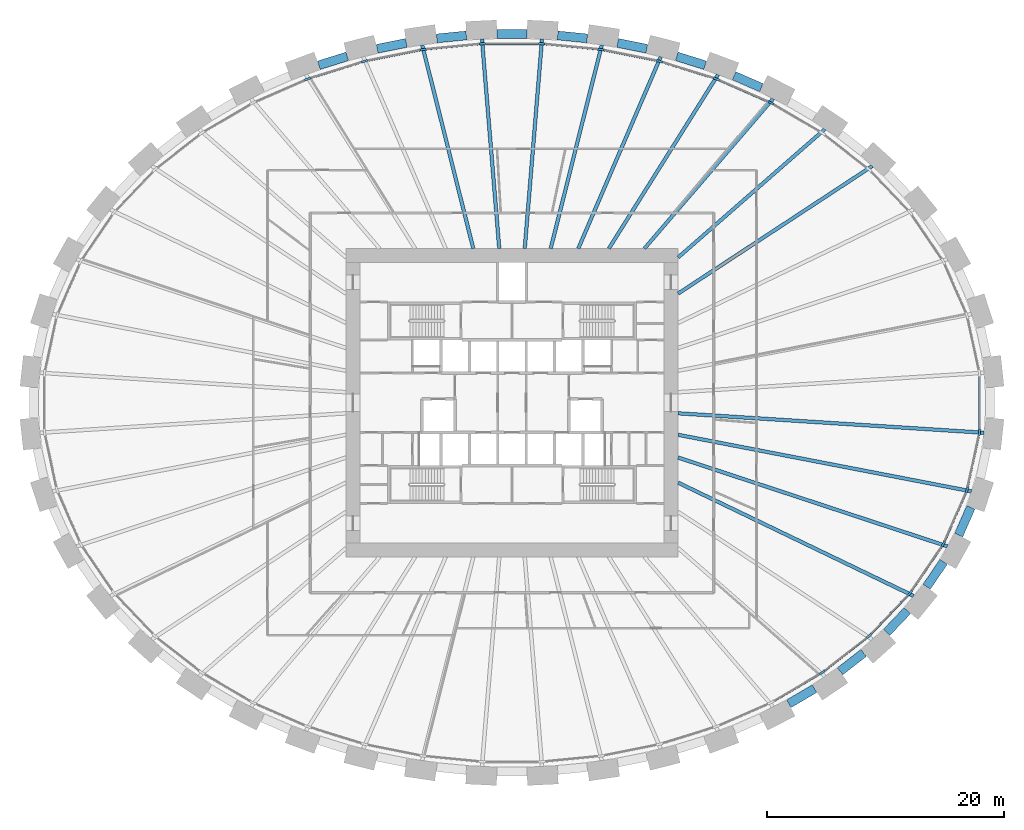
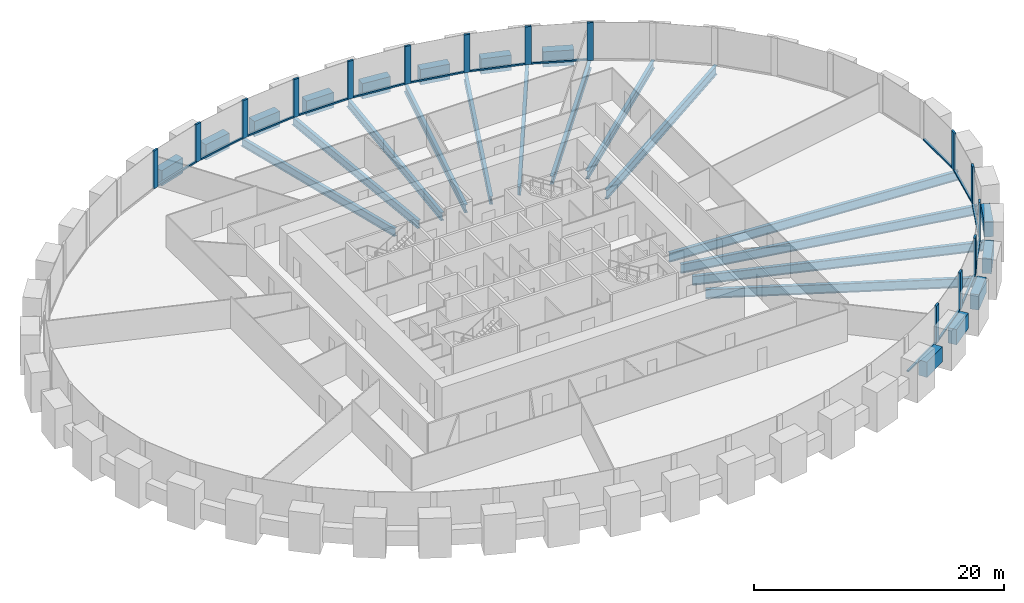
# One storey, part 3 of 11: 30 members, 26 beams, 1 element without a shape of its own.
"""IFC4 building model written with IfcOpenShell, lengths in metres."""

import ifcopenshell
import ifcopenshell.guid

model = None  # the IFC model being written
_history = None  # IfcOwnerHistory: only IFC2X3 demands one
_inside = {}  # id of a spatial element -> (the spatial element, [elements in it])
_under = {}  # id of a project, library or spatial element -> (it, [spatial elements below it])
_declared = {}  # id of a project -> (the project, [libraries it declares])
_typed = {}  # id of a type object -> (the type object, [elements of that type])
_made_of = {}  # id of a material, layer set ... -> (it, [elements and type objects made of it])


def new_model(schema):
    """Start an empty IFC model of exactly this schema.

    Asked for "IFC4X3", IfcOpenShell would pick the latest addendum, in which some entities
    have other attributes; the version numbers below select the first issue.
    IFC2X3 requires an IfcOwnerHistory on every rooted entity: one is made here for all.
    """
    global model, _history
    if schema == "IFC4X3":
        model = ifcopenshell.file(schema_version=(4, 3, 0, 0))
    else:
        model = ifcopenshell.file(schema=schema)
    _inside.clear()
    _under.clear()
    _declared.clear()
    _typed.clear()
    _made_of.clear()
    _history = None
    if model.schema == "IFC2X3":
        org = make("IfcOrganization", Name="unknown")
        user = make(
            "IfcPersonAndOrganization",
            ThePerson=make("IfcPerson", FamilyName="unknown"),
            TheOrganization=org,
        )
        app = make(
            "IfcApplication",
            ApplicationDeveloper=org,
            Version="unknown",
            ApplicationFullName="unknown",
            ApplicationIdentifier="unknown",
        )
        _history = make(
            "IfcOwnerHistory",
            OwningUser=user,
            OwningApplication=app,
            ChangeAction="ADDED",
            CreationDate=0,
        )
    return model


def make(cls, **values):
    """One entity of the class cls with the attributes given. An attribute that is None is left unset."""
    return model.create_entity(
        cls, **{name: value for name, value in values.items() if value is not None}
    )


def rooted(cls, **values):
    """An entity with a GlobalId (a new one), such as an element, a storey or a relation."""
    return make(cls, GlobalId=ifcopenshell.guid.new(), OwnerHistory=_history, **values)


def si_unit(unit_type, name, prefix=None):
    """IfcSIUnit, for example si_unit("LENGTHUNIT", "METRE", prefix="MILLI")."""
    return make("IfcSIUnit", UnitType=unit_type, Prefix=prefix, Name=name)


def assignment(units):
    """IfcUnitAssignment: the units of a project."""
    return None if units is None else make("IfcUnitAssignment", Units=units)


def point(xyz):
    """IfcCartesianPoint."""
    return None if xyz is None else make("IfcCartesianPoint", Coordinates=xyz)


def direction(xyz):
    """IfcDirection."""
    return None if xyz is None else make("IfcDirection", DirectionRatios=xyz)


def frame(location, z_axis=None, x_axis=None):
    """IfcAxis2Placement3D, a coordinate frame: its origin and axes. An axis left out is left unset."""
    return make(
        "IfcAxis2Placement3D",
        Location=point(location),
        Axis=direction(z_axis),
        RefDirection=direction(x_axis),
    )


def frame_2d(location, x_axis=None):
    """IfcAxis2Placement2D, a coordinate frame in the plane: its origin and x axis."""
    return make(
        "IfcAxis2Placement2D", Location=point(location), RefDirection=direction(x_axis)
    )


def origin():
    """The frame at (0, 0, 0) with its axes left unset."""
    return frame((0.0, 0.0, 0.0))


def origin_2d():
    """The frame at (0, 0) in the plane with its x axis left unset."""
    return frame_2d((0.0, 0.0))


def place(relative_to, where):
    """IfcLocalPlacement: puts the frame where relative to a parent placement (None: the world)."""
    return make(
        "IfcLocalPlacement", PlacementRelTo=relative_to, RelativePlacement=where
    )


def context(
    kind, dimensions, precision=None, world=None, true_north=None, identifier=None
):
    """IfcGeometricRepresentationContext, for example the 3D "Model" context."""
    return make(
        "IfcGeometricRepresentationContext",
        ContextIdentifier=identifier,
        ContextType=kind,
        CoordinateSpaceDimension=dimensions,
        Precision=precision,
        WorldCoordinateSystem=world,
        TrueNorth=true_north,
    )


def subcontext(parent, identifier, kind, view, scale=None):
    """IfcGeometricRepresentationSubContext, for example "Body" below "Model"."""
    return make(
        "IfcGeometricRepresentationSubContext",
        ContextIdentifier=identifier,
        ContextType=kind,
        ParentContext=parent,
        TargetScale=scale,
        TargetView=view,
    )


def project(units=None, contexts=None):
    """IfcProject with its units and contexts."""
    return rooted(
        "IfcProject",
        Name="project",
        RepresentationContexts=contexts,
        UnitsInContext=assignment(units),
    )


def spatial(cls, under=None, at=None, **own):
    """A site, building, storey or space (cls), placed at a placement, below another one or the project."""
    s = rooted(cls, ObjectPlacement=at, **own)
    if under is not None:
        _under.setdefault(under.id(), (under, []))[1].append(s)
    return s


def profile(cls, at=None, kind="AREA", **sizes):
    """A parametric profile (cls). Its sizes go by their IFC names, for example OverallWidth=200.0."""
    return make(cls, ProfileType=kind, Position=at, **sizes)


def rectangle(**sizes):
    """IfcRectangleProfileDef."""
    return profile("IfcRectangleProfileDef", **sizes)


def i_section(**sizes):
    """IfcIShapeProfileDef."""
    return profile("IfcIShapeProfileDef", **sizes)


def extrude(swept, where, along, depth):
    """IfcExtrudedAreaSolid: the profile swept, set in the frame where, extruded along a direction by depth."""
    return make(
        "IfcExtrudedAreaSolid",
        SweptArea=swept,
        Position=where,
        ExtrudedDirection=direction(along),
        Depth=depth,
    )


def shape(context_of_items, identifier, shape_type, items):
    """IfcShapeRepresentation: the items that make up one representation, for example the "Body"."""
    return make(
        "IfcShapeRepresentation",
        ContextOfItems=context_of_items,
        RepresentationIdentifier=identifier,
        RepresentationType=shape_type,
        Items=items,
    )


def source(mapping_origin, context_of_items, identifier, shape_type, items):
    """IfcRepresentationMap: a shape defined once, which mapped items show again and again."""
    return make(
        "IfcRepresentationMap",
        MappingOrigin=mapping_origin,
        MappedRepresentation=shape(context_of_items, identifier, shape_type, items),
    )


def transform(
    local_origin,
    x_axis=None,
    y_axis=None,
    z_axis=None,
    scale=None,
    scale2=None,
    scale3=None,
    uniform=True,
):
    """IfcCartesianTransformationOperator3D, or its non-uniform kind. x_axis, y_axis, z_axis: its Axis1, 2, 3."""
    if uniform:
        return make(
            "IfcCartesianTransformationOperator3D",
            Axis1=direction(x_axis),
            Axis2=direction(y_axis),
            LocalOrigin=point(local_origin),
            Scale=scale,
            Axis3=direction(z_axis),
        )
    return make(
        "IfcCartesianTransformationOperator3DnonUniform",
        Axis1=direction(x_axis),
        Axis2=direction(y_axis),
        LocalOrigin=point(local_origin),
        Scale=scale,
        Axis3=direction(z_axis),
        Scale2=scale2,
        Scale3=scale3,
    )


def mapped(mapping_source, mapping_target):
    """IfcMappedItem: shows the shape of a source again, moved by a transform."""
    return make(
        "IfcMappedItem", MappingSource=mapping_source, MappingTarget=mapping_target
    )


def material(Name=None, Category=None):
    """IfcMaterial."""
    return make("IfcMaterial", Name=Name, Category=Category)


def material_profile(
    of_material, cross_section, Name=None, Category=None, Priority=None
):
    """IfcMaterialProfile: a cross section and its material."""
    return make(
        "IfcMaterialProfile",
        Name=Name,
        Material=of_material,
        Profile=cross_section,
        Priority=Priority,
        Category=Category,
    )


def profile_set(profiles, Name=None, composite=None):
    """IfcMaterialProfileSet."""
    return make(
        "IfcMaterialProfileSet",
        Name=Name,
        MaterialProfiles=profiles,
        CompositeProfile=composite,
    )


def made_of(thing, what):
    """Note that an element or type object is made of a material, layer set ...; save() writes the relation."""
    if what is not None:
        _made_of.setdefault(what.id(), (what, []))[1].append(thing)
    return thing


def type_object(cls, material=None, **own):
    """A type object (cls), such as IfcWallType, which elements share."""
    return made_of(rooted(cls, **own), material)


def element(
    cls,
    number,
    at=None,
    inside=None,
    cuts=None,
    type_object=None,
    material=None,
    context=None,
    identifier="Body",
    shape_type=None,
    held_by="IfcProductDefinitionShape",
    body=None,
    shapes=None,
    **own,
):
    """One element of the class cls, such as IfcWall. Its Tag is "e" and its number.

    at: its placement. inside: the storey or other place that contains it. cuts: it is an
    opening in that element (IfcRelVoidsElement). A single representation is given by context,
    identifier, shape_type and body (its items); several are given by shapes. held_by: the class
    of the entity that holds the representations. save() writes the other relations.
    """
    e = rooted(cls, Tag="e%d" % number, ObjectPlacement=at, **own)
    if body is not None:
        shapes = [shape(context, identifier, shape_type, body)]
    if shapes is not None:
        e.Representation = make(held_by, Representations=shapes)
    if inside is not None:
        _inside.setdefault(inside.id(), (inside, []))[1].append(e)
    if cuts is not None:
        rooted(
            "IfcRelVoidsElement", RelatingBuildingElement=cuts, RelatedOpeningElement=e
        )
    if type_object is not None:
        _typed.setdefault(type_object.id(), (type_object, []))[1].append(e)
    return made_of(e, material)


def aggregate(whole, parts):
    """IfcRelAggregates: a whole, such as a stair, and the parts it consists of."""
    return rooted("IfcRelAggregates", RelatingObject=whole, RelatedObjects=parts)


def save(model, path):
    """Write the relations noted so far, then the file.

    IfcRelAggregates (storeys below a building ...), IfcRelContainedInSpatialStructure (elements
    in a storey), IfcRelDefinesByType, IfcRelAssociatesMaterial and IfcRelDeclares: one each for
    every whole, place, type object, material and project.
    """
    for whole, parts in _under.values():
        aggregate(whole, parts)
    for where, things in _inside.values():
        rooted(
            "IfcRelContainedInSpatialStructure",
            RelatedElements=things,
            RelatingStructure=where,
        )
    for kind, things in _typed.values():
        rooted("IfcRelDefinesByType", RelatedObjects=things, RelatingType=kind)
    for what, things in _made_of.values():
        rooted("IfcRelAssociatesMaterial", RelatedObjects=things, RelatingMaterial=what)
    for by, libraries in _declared.values():
        rooted("IfcRelDeclares", RelatingContext=by, RelatedDefinitions=libraries)
    model.write(path)


model = new_model("IFC4")

# Units and contexts
model_context = context("Model", 3, precision=1e-05, world=origin(), true_north=direction((0.0, 1.0)))
body_context = subcontext(model_context, "Body", "Model", "MODEL_VIEW")
ifc_project = project(units=[si_unit("LENGTHUNIT", "METRE"), si_unit("AREAUNIT", "SQUARE_METRE"), si_unit("VOLUMEUNIT", "CUBIC_METRE"), si_unit("PLANEANGLEUNIT", "RADIAN"), si_unit("MASSUNIT", "GRAM", prefix="KILO")], contexts=[model_context])

# Site, building, storey
site_placement = place(None, origin())
site = spatial("IfcSite", under=ifc_project, at=site_placement, CompositionType="ELEMENT")
building_placement = place(site_placement, origin())
building = spatial("IfcBuilding", under=site, at=building_placement, Name="Embergate Tower", CompositionType="ELEMENT")
storey_placement = place(building_placement, frame((0.0, 0.0, 62.0)))
storey = spatial("IfcBuildingStorey", under=building, at=storey_placement, Name="L11", CompositionType="ELEMENT", Elevation=62.0)

# Beams
ifc_material_1 = material(Name="Concrete C70", Category="concrete")
ifc_material_profile_1 = material_profile(ifc_material_1, rectangle(XDim=0.75, YDim=1.5, at=origin_2d()), Name="RC 750x1500")
ifc_profile_set_1 = profile_set([ifc_material_profile_1], Name="Concrete C70")
beam_type_1 = type_object("IfcBeamType", Name="Spandrel beam RC 750x1500 C70", PredefinedType="BEAM", material=ifc_profile_set_1)
shared_shape_1 = source(origin(), body_context, "Body", "SweptSolid", [
    extrude(rectangle(XDim=0.75, YDim=1.5, at=origin_2d()), origin(), (0.0, 0.0, 1.0), 2.540771484375),
])
beam_1_placement = place(storey_placement, frame((37.64599609375, -11.14599609375, 0.0), z_axis=(0.401479097778, 0.915868185956, 0.0), x_axis=(-0.915868185956, 0.401479097778, 0.0)))
element("IfcBeam", 1, at=beam_1_placement, inside=storey, type_object=beam_type_1, Name="SPN-L11-41", PredefinedType="BEAM", context=body_context, shape_type="MappedRepresentation", body=[
    mapped(shared_shape_1, transform((0.0, 0.0, 0.0))),
])
shared_shape_2 = source(origin(), body_context, "Body", "SweptSolid", [
    extrude(rectangle(XDim=0.75, YDim=1.5, at=origin_2d()), origin(), (0.0, 0.0, 1.0), 2.5302734375),
])
beam_2_placement = place(storey_placement, frame((34.947021484375, -15.5029296875, 0.0), z_axis=(0.562447254988, 0.82683316658, 0.0), x_axis=(-0.82683316658, 0.562447254988, 0.0)))
element("IfcBeam", 2, at=beam_2_placement, inside=storey, type_object=beam_type_1, Name="SPN-L11-40", PredefinedType="BEAM", context=body_context, shape_type="MappedRepresentation", body=[
    mapped(shared_shape_2, transform((0.0, 0.0, 0.0))),
])
shared_shape_3 = source(origin(), body_context, "Body", "SweptSolid", [
    extrude(rectangle(XDim=0.75, YDim=1.5, at=origin_2d()), origin(), (0.0, 0.0, 1.0), 2.525146484375),
])
beam_3_placement = place(storey_placement, frame((31.571044921875, -19.35302734375, 0.0), z_axis=(0.689836216716, 0.723965464719, 0.0), x_axis=(-0.723965464719, 0.689836216716, 0.0)))
element("IfcBeam", 3, at=beam_3_placement, inside=storey, type_object=beam_type_1, Name="SPN-L11-39", PredefinedType="BEAM", context=body_context, shape_type="MappedRepresentation", body=[
    mapped(shared_shape_3, transform((0.0, 0.0, 0.0))),
])
shared_shape_4 = source(origin(), body_context, "Body", "SweptSolid", [
    extrude(rectangle(XDim=0.75, YDim=1.5, at=origin_2d()), origin(), (0.0, 0.0, 1.0), 2.51708984375),
])
beam_4_placement = place(storey_placement, frame((27.64599609375, -22.632080078125, 0.0), z_axis=(0.788186103863, 0.615436971328, 0.0), x_axis=(-0.615436971328, 0.788186103863, 0.0)))
element("IfcBeam", 4, at=beam_4_placement, inside=storey, type_object=beam_type_1, Name="SPN-L11-38", PredefinedType="BEAM", context=body_context, shape_type="MappedRepresentation", body=[
    mapped(shared_shape_4, transform((0.0, 0.0, 0.0))),
])
shared_shape_5 = source(origin(), body_context, "Body", "SweptSolid", [
    extrude(rectangle(XDim=0.75, YDim=1.5, at=origin_2d()), origin(), (0.0, 0.0, 1.0), 2.512451171875),
])
beam_5_placement = place(storey_placement, frame((23.330078125, -25.366943359375, 0.0), z_axis=(0.862138987282, 0.506671852986, 0.0), x_axis=(-0.506671852986, 0.862138987282, 0.0)))
element("IfcBeam", 5, at=beam_5_placement, inside=storey, type_object=beam_type_1, Name="SPN-L11-37", PredefinedType="BEAM", context=body_context, shape_type="MappedRepresentation", body=[
    mapped(shared_shape_5, transform((0.0, 0.0, 0.0))),
])
shared_shape_6 = source(origin(), body_context, "Body", "SweptSolid", [
    extrude(rectangle(XDim=0.75, YDim=1.5, at=origin_2d()), origin(), (0.0, 0.0, 1.0), 2.508056640625),
])
beam_6_placement = place(storey_placement, frame((21.013916015625, 26.549072265625, 0.0), z_axis=(-0.916219880472, 0.400675842331, 0.0), x_axis=(-0.400675842331, -0.916219880472, 0.0)))
element("IfcBeam", 6, at=beam_6_placement, inside=storey, type_object=beam_type_1, Name="SPN-L11-06", PredefinedType="BEAM", context=body_context, shape_type="MappedRepresentation", body=[
    mapped(shared_shape_6, transform((0.0, 0.0, 0.0))),
])
shared_shape_7 = source(origin(), body_context, "Body", "SweptSolid", [
    extrude(rectangle(XDim=0.75, YDim=1.5, at=origin_2d()), origin(), (0.0, 0.0, 1.0), 2.505126953125),
])
for number, where, z_axis, x_axis, name in (
    (7, (16.27294921875, 28.444091796875, 0.0), (-0.95477257779, 0.297337055715, 0.0), (-0.297337055715, -0.95477257779, 0.0), "SPN-L11-07"),
    (8, (-13.881103515625, 29.18896484375, 0.0), (-0.95477257779, -0.297337055715, 0.0), (0.297337055715, -0.95477257779, 0.0), "SPN-L11-13"),
):
    element("IfcBeam", number, at=place(storey_placement, frame(where, z_axis=z_axis, x_axis=x_axis)), inside=storey, type_object=beam_type_1, Name=name, PredefinedType="BEAM", context=body_context, shape_type="MappedRepresentation", body=[
        mapped(shared_shape_7, transform((0.0, 0.0, 0.0))),
    ])
shared_shape_8 = source(origin(), body_context, "Body", "SweptSolid", [
    extrude(rectangle(XDim=0.75, YDim=1.5, at=origin_2d()), origin(), (0.0, 0.0, 1.0), 2.5029296875),
])
for number, where, z_axis, x_axis, name in (
    (9, (11.362060546875, 29.83203125, 0.0), (-0.980494293439, 0.196547552853, 0.0), (-0.196547552853, -0.980494293439, 0.0), "SPN-L11-08"),
    (10, (-8.907958984375, 30.323974609375, 0.0), (-0.980494293439, -0.196547552853, 0.0), (0.196547552853, -0.980494293439, 0.0), "SPN-L11-12"),
):
    element("IfcBeam", number, at=place(storey_placement, frame(where, z_axis=z_axis, x_axis=x_axis)), inside=storey, type_object=beam_type_1, Name=name, PredefinedType="BEAM", context=body_context, shape_type="MappedRepresentation", body=[
        mapped(shared_shape_8, transform((0.0, 0.0, 0.0))),
    ])
shared_shape_9 = source(origin(), body_context, "Body", "SweptSolid", [
    extrude(rectangle(XDim=0.75, YDim=1.5, at=origin_2d()), origin(), (0.0, 0.0, 1.0), 2.5009765625),
])
for number, where, z_axis, x_axis, name in (
    (11, (6.3369140625, 30.70703125, 0.0), (-0.995195384031, 0.097908873976, 0.0), (-0.097908873976, -0.995195384031, 0.0), "SPN-L11-09"),
    (12, (-3.847900390625, 30.951904296875, 0.0), (-0.995195384031, -0.097908873976, 0.0), (0.097908873976, -0.995195384031, 0.0), "SPN-L11-11"),
):
    element("IfcBeam", number, at=place(storey_placement, frame(where, z_axis=z_axis, x_axis=x_axis)), inside=storey, type_object=beam_type_1, Name=name, PredefinedType="BEAM", context=body_context, shape_type="MappedRepresentation", body=[
        mapped(shared_shape_9, transform((0.0, 0.0, 0.0))),
    ])
shared_shape_10 = source(origin(), body_context, "Body", "SweptSolid", [
    extrude(rectangle(XDim=0.75, YDim=1.5, at=origin_2d()), origin(), (0.0, 0.0, 1.0), 2.501953125),
])
beam_7_placement = place(storey_placement, frame((1.2509765625, 31.0791015625, 0.0), z_axis=(-1.0, 0.0, 0.0), x_axis=(0.0, -1.0, 0.0)))
element("IfcBeam", 13, at=beam_7_placement, inside=storey, type_object=beam_type_1, Name="SPN-L11-10", PredefinedType="BEAM", context=body_context, shape_type="MappedRepresentation", body=[
    mapped(shared_shape_10, transform((0.0, 0.0, 0.0))),
])
ifc_material_2 = material(Name="Steel Q355B", Category="steel")
ifc_material_profile_2 = material_profile(ifc_material_2, i_section(OverallWidth=0.300048828125, OverallDepth=0.89990234375, WebThickness=0.01611328125, FlangeThickness=0.028076171875, FilletRadius=0.028076171875, at=origin_2d()), Name="HN 900x300x16x28")
ifc_profile_set_2 = profile_set([ifc_material_profile_2], Name="Steel Q355 grade B")
beam_type_2 = type_object("IfcBeamType", Name="Radial girder HN 900x300x16x28", PredefinedType="BEAM", material=ifc_profile_set_2)
shared_shape_11 = source(origin(), body_context, "Body", "SweptSolid", [
    extrude(i_section(OverallWidth=0.300048828125, OverallDepth=0.89990234375, WebThickness=0.01611328125, FlangeThickness=0.028076171875, FilletRadius=0.028076171875, at=origin_2d()), origin(), (0.0, 0.0, 1.0), 25.8330078125),
])
beam_8_placement = place(storey_placement, frame((39.781005859375, -2.527099609375, -0.64990234375), z_axis=(-0.997987282957, 0.063414375786, 0.0), x_axis=(-0.063414375786, -0.997987282957, 0.0)))
element("IfcBeam", 14, at=beam_8_placement, inside=storey, type_object=beam_type_2, Name="GIR-L11-43", PredefinedType="BEAM", context=body_context, shape_type="MappedRepresentation", body=[
    mapped(shared_shape_11, transform((0.0, 0.0, 0.0))),
])
shared_shape_12 = source(origin(), body_context, "Body", "SweptSolid", [
    extrude(i_section(OverallWidth=0.300048828125, OverallDepth=0.89990234375, WebThickness=0.01611328125, FlangeThickness=0.028076171875, FilletRadius=0.028076171875, at=origin_2d()), origin(), (0.0, 0.0, 1.0), 25.173583984375),
])
beam_9_placement = place(storey_placement, frame((38.718017578125, -7.468994140625, -0.64990234375), z_axis=(-0.981898721565, 0.189406706822, 0.0), x_axis=(-0.189406706822, -0.981898721565, 0.0)))
element("IfcBeam", 15, at=beam_9_placement, inside=storey, type_object=beam_type_2, Name="GIR-L11-42", PredefinedType="BEAM", context=body_context, shape_type="MappedRepresentation", body=[
    mapped(shared_shape_12, transform((0.0, 0.0, 0.0))),
])
shared_shape_13 = source(origin(), body_context, "Body", "SweptSolid", [
    extrude(i_section(OverallWidth=0.300048828125, OverallDepth=0.89990234375, WebThickness=0.01611328125, FlangeThickness=0.028076171875, FilletRadius=0.028076171875, at=origin_2d()), origin(), (0.0, 0.0, 1.0), 23.889404296875),
])
beam_10_placement = place(storey_placement, frame((36.68701171875, -12.10009765625, -0.64990234375), z_axis=(-0.949672981662, 0.313243081171, 0.0), x_axis=(-0.313243081171, -0.949672981662, 0.0)))
element("IfcBeam", 16, at=beam_10_placement, inside=storey, type_object=beam_type_2, Name="GIR-L11-41", PredefinedType="BEAM", context=body_context, shape_type="MappedRepresentation", body=[
    mapped(shared_shape_13, transform((0.0, 0.0, 0.0))),
])
shared_shape_14 = source(origin(), body_context, "Body", "SweptSolid", [
    extrude(i_section(OverallWidth=0.300048828125, OverallDepth=0.89990234375, WebThickness=0.01611328125, FlangeThickness=0.028076171875, FilletRadius=0.028076171875, at=origin_2d()), origin(), (0.0, 0.0, 1.0), 22.020751953125),
])
beam_11_placement = place(storey_placement, frame((33.843994140625, -16.281005859375, -0.64990234375), z_axis=(-0.90115457104, 0.433497911291, 0.0), x_axis=(-0.433497911291, -0.90115457104, 0.0)))
element("IfcBeam", 17, at=beam_11_placement, inside=storey, type_object=beam_type_2, Name="GIR-L11-40", PredefinedType="BEAM", context=body_context, shape_type="MappedRepresentation", body=[
    mapped(shared_shape_14, transform((0.0, 0.0, 0.0))),
])
shared_shape_15 = source(origin(), body_context, "Body", "SweptSolid", [
    extrude(i_section(OverallWidth=0.300048828125, OverallDepth=0.89990234375, WebThickness=0.01611328125, FlangeThickness=0.028076171875, FilletRadius=0.028076171875, at=origin_2d()), origin(), (0.0, 0.0, 1.0), 19.56591796875),
])
beam_12_placement = place(storey_placement, frame((30.35205078125, 19.94189453125, -0.64990234375), z_axis=(-0.835746219167, -0.549115886812, 0.0), x_axis=(0.549115886812, -0.835746219167, 0.0)))
element("IfcBeam", 18, at=beam_12_placement, inside=storey, type_object=beam_type_2, Name="GIR-L11-04", PredefinedType="BEAM", context=body_context, shape_type="MappedRepresentation", body=[
    mapped(shared_shape_15, transform((0.0, 0.0, 0.0))),
])
ifc_material_profile_3 = material_profile(ifc_material_2, i_section(OverallWidth=0.300048828125, OverallDepth=0.800048828125, WebThickness=0.013916015625, FlangeThickness=0.02587890625, FilletRadius=0.028076171875, at=origin_2d()), Name="HN 800x300x14x26")
ifc_profile_set_3 = profile_set([ifc_material_profile_3], Name="Steel Q355 grade B")
beam_type_3 = type_object("IfcBeamType", Name="Radial girder HN 800x300x14x26", PredefinedType="BEAM", material=ifc_profile_set_3)
shared_shape_16 = source(origin(), body_context, "Body", "SweptSolid", [
    extrude(i_section(OverallWidth=0.300048828125, OverallDepth=0.800048828125, WebThickness=0.013916015625, FlangeThickness=0.02587890625, FilletRadius=0.028076171875, at=origin_2d()), origin(), (0.0, 0.0, 1.0), 16.424560546875),
])
beam_13_placement = place(storey_placement, frame((26.364013671875, 23.055908203125, -0.60009765625), z_axis=(-0.752772791173, -0.658280430265, 0.0), x_axis=(0.658280430265, -0.752772791173, 0.0)))
element("IfcBeam", 19, at=beam_13_placement, inside=storey, type_object=beam_type_3, Name="GIR-L11-05", PredefinedType="BEAM", context=body_context, shape_type="MappedRepresentation", body=[
    mapped(shared_shape_16, transform((0.0, 0.0, 0.0))),
])
shared_shape_17 = source(origin(), body_context, "Body", "SweptSolid", [
    extrude(i_section(OverallWidth=0.300048828125, OverallDepth=0.800048828125, WebThickness=0.013916015625, FlangeThickness=0.02587890625, FilletRadius=0.028076171875, at=origin_2d()), origin(), (0.0, 0.0, 1.0), 16.6357421875),
])
beam_14_placement = place(storey_placement, frame((22.0009765625, 25.62109375, -0.60009765625), z_axis=(-0.651477578484, -0.758667888297, 0.0), x_axis=(0.758667888297, -0.651477578484, 0.0)))
element("IfcBeam", 20, at=beam_14_placement, inside=storey, type_object=beam_type_3, Name="GIR-L11-06", PredefinedType="BEAM", context=body_context, shape_type="MappedRepresentation", body=[
    mapped(shared_shape_17, transform((0.0, 0.0, 0.0))),
])
shared_shape_18 = source(origin(), body_context, "Body", "SweptSolid", [
    extrude(i_section(OverallWidth=0.300048828125, OverallDepth=0.800048828125, WebThickness=0.013916015625, FlangeThickness=0.02587890625, FilletRadius=0.028076171875, at=origin_2d()), origin(), (0.0, 0.0, 1.0), 17.29833984375),
])
beam_15_placement = place(storey_placement, frame((17.364013671875, 27.64892578125, -0.60009765625), z_axis=(-0.53184228431, -0.84684342391, 0.0), x_axis=(0.84684342391, -0.53184228431, 0.0)))
element("IfcBeam", 21, at=beam_15_placement, inside=storey, type_object=beam_type_3, Name="GIR-L11-07", PredefinedType="BEAM", context=body_context, shape_type="MappedRepresentation", body=[
    mapped(shared_shape_18, transform((0.0, 0.0, 0.0))),
])
shared_shape_19 = source(origin(), body_context, "Body", "SweptSolid", [
    extrude(i_section(OverallWidth=0.300048828125, OverallDepth=0.800048828125, WebThickness=0.013916015625, FlangeThickness=0.02587890625, FilletRadius=0.028076171875, at=origin_2d()), origin(), (0.0, 0.0, 1.0), 17.5830078125),
])
beam_16_placement = place(storey_placement, frame((12.531005859375, 29.154052734375, -0.60009765625), z_axis=(-0.394877633305, -0.91873372351, 0.0), x_axis=(0.91873372351, -0.394877633305, 0.0)))
element("IfcBeam", 22, at=beam_16_placement, inside=storey, type_object=beam_type_3, Name="GIR-L11-08", PredefinedType="BEAM", context=body_context, shape_type="MappedRepresentation", body=[
    mapped(shared_shape_19, transform((0.0, 0.0, 0.0))),
])
shared_shape_20 = source(origin(), body_context, "Body", "SweptSolid", [
    extrude(i_section(OverallWidth=0.300048828125, OverallDepth=0.800048828125, WebThickness=0.013916015625, FlangeThickness=0.02587890625, FilletRadius=0.028076171875, at=origin_2d()), origin(), (0.0, 0.0, 1.0), 17.68115234375),
])
for number, where, z_axis, x_axis, name in (
    (23, (7.568115234375, 30.14892578125, -0.60009765625), (-0.243490697854, -0.969903232317, 0.0), (0.969903232317, -0.243490697854, 0.0), "GIR-L11-09"),
    (24, (-7.568115234375, 30.14892578125, -0.60009765625), (0.243490697854, -0.969903232317, 0.0), (0.969903232317, 0.243490697854, 0.0), "GIR-L11-12"),
):
    element("IfcBeam", number, at=place(storey_placement, frame(where, z_axis=z_axis, x_axis=x_axis)), inside=storey, type_object=beam_type_3, Name=name, PredefinedType="BEAM", context=body_context, shape_type="MappedRepresentation", body=[
        mapped(shared_shape_20, transform((0.0, 0.0, 0.0))),
    ])
shared_shape_21 = source(origin(), body_context, "Body", "SweptSolid", [
    extrude(i_section(OverallWidth=0.300048828125, OverallDepth=0.800048828125, WebThickness=0.013916015625, FlangeThickness=0.02587890625, FilletRadius=0.028076171875, at=origin_2d()), origin(), (0.0, 0.0, 1.0), 17.7041015625),
])
for number, where, z_axis, x_axis, name in (
    (25, (2.531005859375, 30.64404296875, -0.60009765625), (-0.082299081422, -0.99660767667, 0.0), (0.99660767667, -0.082299081422, 0.0), "GIR-L11-10"),
    (26, (-2.531005859375, 30.64404296875, -0.60009765625), (0.082299081422, -0.99660767667, 0.0), (0.99660767667, 0.082299081422, 0.0), "GIR-L11-11"),
):
    element("IfcBeam", number, at=place(storey_placement, frame(where, z_axis=z_axis, x_axis=x_axis)), inside=storey, type_object=beam_type_3, Name=name, PredefinedType="BEAM", context=body_context, shape_type="MappedRepresentation", body=[
        mapped(shared_shape_21, transform((0.0, 0.0, 0.0))),
    ])

# Curtain wall, members
ifc_material_3 = material(Name="Aluminium and glass", Category="aluminium")
curtain_wall_type = type_object("IfcCurtainWallType", Name="Recessed office glazing", PredefinedType="NOTDEFINED", material=ifc_material_3)
curtain_wall_placement = place(storey_placement, origin())
curtain_wall = element("IfcCurtainWall", 27, at=curtain_wall_placement, inside=storey, type_object=curtain_wall_type, Name="Recessed office glazing ring", ObjectType="RECESSED OFFICE GLAZING", PredefinedType="USERDEFINED")
ifc_material_4 = material(Name="Aluminium, thermally broken", Category="aluminium")
ifc_material_profile_4 = material_profile(ifc_material_4, rectangle(XDim=0.179931640625, YDim=0.52001953125, at=origin_2d()), Name="AL 520x180")
ifc_profile_set_4 = profile_set([ifc_material_profile_4], Name="Aluminium, thermally broken")
member_type_1 = type_object("IfcMemberType", Name="Office mullion", PredefinedType="MULLION", material=ifc_profile_set_4)
shared_shape_22 = source(origin(), body_context, "Body", "SweptSolid", [
    extrude(rectangle(XDim=0.179931640625, YDim=0.52001953125, at=origin_2d()), origin(), (0.0, 0.0, 1.0), 3.699951171875),
])
member_1_placement = place(storey_placement, frame((21.824462890625, 25.273193359375, 0.0), z_axis=(0.0, 0.0, 1.0), x_axis=(-0.454520708319, -0.890736170653, 0.0)))
member_1 = element("IfcMember", 28, at=member_1_placement, type_object=member_type_1, Name="CW mullion 7", PredefinedType="MULLION", context=body_context, shape_type="MappedRepresentation", body=[
    mapped(shared_shape_22, transform((0.0, 0.0, 0.0))),
])
member_2_placement = place(storey_placement, frame((17.22802734375, 27.282958984375, 0.0), z_axis=(0.0, 0.0, 1.0), x_axis=(-0.349510859141, -0.936932313106, 0.0)))
member_2 = element("IfcMember", 29, at=member_2_placement, type_object=member_type_1, Name="CW mullion 8", PredefinedType="MULLION", context=body_context, shape_type="MappedRepresentation", body=[
    mapped(shared_shape_22, transform((0.0, 0.0, 0.0))),
])
member_3_placement = place(storey_placement, frame((12.435302734375, 28.775634765625, 0.0), z_axis=(0.0, 0.0, 1.0), x_axis=(-0.247318645812, -0.968934201808, 0.0)))
member_3 = element("IfcMember", 30, at=member_3_placement, type_object=member_type_1, Name="CW mullion 9", PredefinedType="MULLION", context=body_context, shape_type="MappedRepresentation", body=[
    mapped(shared_shape_22, transform((0.0, 0.0, 0.0))),
])
member_4_placement = place(storey_placement, frame((7.51123046875, 29.76318359375, 0.0), z_axis=(0.0, 0.0, 1.0), x_axis=(-0.147415835341, -0.989074603602, 0.0)))
member_4 = element("IfcMember", 31, at=member_4_placement, type_object=member_type_1, Name="CW mullion 10", PredefinedType="MULLION", context=body_context, shape_type="MappedRepresentation", body=[
    mapped(shared_shape_22, transform((0.0, 0.0, 0.0))),
])
member_5_placement = place(storey_placement, frame((2.511962890625, 30.254638671875, 0.0), z_axis=(0.0, 0.0, 1.0), x_axis=(-0.048971796621, -0.998800161762, 0.0)))
member_5 = element("IfcMember", 32, at=member_5_placement, type_object=member_type_1, Name="CW mullion 11", PredefinedType="MULLION", context=body_context, shape_type="MappedRepresentation", body=[
    mapped(shared_shape_22, transform((0.0, 0.0, 0.0))),
])
member_6_placement = place(storey_placement, frame((-2.511962890625, 30.254638671875, 0.0), z_axis=(0.0, 0.0, 1.0), x_axis=(0.048971796621, -0.998800161762, 0.0)))
member_6 = element("IfcMember", 33, at=member_6_placement, type_object=member_type_1, Name="CW mullion 12", PredefinedType="MULLION", context=body_context, shape_type="MappedRepresentation", body=[
    mapped(shared_shape_22, transform((0.0, 0.0, 0.0))),
])
member_7_placement = place(storey_placement, frame((-7.51123046875, 29.76318359375, 0.0), z_axis=(0.0, 0.0, 1.0), x_axis=(0.147415835341, -0.989074603602, 0.0)))
member_7 = element("IfcMember", 34, at=member_7_placement, type_object=member_type_1, Name="CW mullion 13", PredefinedType="MULLION", context=body_context, shape_type="MappedRepresentation", body=[
    mapped(shared_shape_22, transform((0.0, 0.0, 0.0))),
])
member_8_placement = place(storey_placement, frame((-12.435302734375, 28.775634765625, 0.0), z_axis=(0.0, 0.0, 1.0), x_axis=(0.247318645812, -0.968934201808, 0.0)))
member_8 = element("IfcMember", 35, at=member_8_placement, type_object=member_type_1, Name="CW mullion 14", PredefinedType="MULLION", context=body_context, shape_type="MappedRepresentation", body=[
    mapped(shared_shape_22, transform((0.0, 0.0, 0.0))),
])
member_9_placement = place(storey_placement, frame((-17.22802734375, 27.282958984375, 0.0), z_axis=(0.0, 0.0, 1.0), x_axis=(0.349510859141, -0.936932313106, 0.0)))
member_9 = element("IfcMember", 36, at=member_9_placement, type_object=member_type_1, Name="CW mullion 15", PredefinedType="MULLION", context=body_context, shape_type="MappedRepresentation", body=[
    mapped(shared_shape_22, transform((0.0, 0.0, 0.0))),
])
member_10_placement = place(storey_placement, frame((26.14501953125, -22.73291015625, 0.0), z_axis=(0.0, 0.0, 1.0), x_axis=(-0.562229165438, 0.826981478348, 0.0)))
member_10 = element("IfcMember", 37, at=member_10_placement, type_object=member_type_1, Name="CW mullion 39", PredefinedType="MULLION", context=body_context, shape_type="MappedRepresentation", body=[
    mapped(shared_shape_22, transform((0.0, 0.0, 0.0))),
])
member_11_placement = place(storey_placement, frame((30.09130859375, -19.65283203125, 0.0), z_axis=(0.0, 0.0, 1.0), x_axis=(-0.671239471147, 0.741240563093, 0.0)))
member_11 = element("IfcMember", 38, at=member_11_placement, type_object=member_type_1, Name="CW mullion 40", PredefinedType="MULLION", context=body_context, shape_type="MappedRepresentation", body=[
    mapped(shared_shape_22, transform((0.0, 0.0, 0.0))),
])
member_12_placement = place(storey_placement, frame((33.541015625, -16.035400390625, 0.0), z_axis=(0.0, 0.0, 1.0), x_axis=(-0.777883532271, 0.628408474022, 0.0)))
member_12 = element("IfcMember", 39, at=member_12_placement, type_object=member_type_1, Name="CW mullion 41", PredefinedType="MULLION", context=body_context, shape_type="MappedRepresentation", body=[
    mapped(shared_shape_22, transform((0.0, 0.0, 0.0))),
])
member_13_placement = place(storey_placement, frame((36.3466796875, -11.909423828125, 0.0), z_axis=(0.0, 0.0, 1.0), x_axis=(-0.875010345178, 0.48410422001, 0.0)))
member_13 = element("IfcMember", 40, at=member_13_placement, type_object=member_type_1, Name="CW mullion 42", PredefinedType="MULLION", context=body_context, shape_type="MappedRepresentation", body=[
    mapped(shared_shape_22, transform((0.0, 0.0, 0.0))),
])
member_14_placement = place(storey_placement, frame((38.347412109375, -7.347900390625, 0.0), z_axis=(0.0, 0.0, 1.0), x_axis=(-0.951502093582, 0.307642269381, 0.0)))
member_14 = element("IfcMember", 41, at=member_14_placement, type_object=member_type_1, Name="CW mullion 43", PredefinedType="MULLION", context=body_context, shape_type="MappedRepresentation", body=[
    mapped(shared_shape_22, transform((0.0, 0.0, 0.0))),
])
member_15_placement = place(storey_placement, frame((39.393798828125, -2.485595703125, 0.0), z_axis=(0.0, 0.0, 1.0), x_axis=(-0.994385508811, 0.105818050756, 0.0)))
member_15 = element("IfcMember", 42, at=member_15_placement, type_object=member_type_1, Name="CW mullion 44", PredefinedType="MULLION", context=body_context, shape_type="MappedRepresentation", body=[
    mapped(shared_shape_22, transform((0.0, 0.0, 0.0))),
])
ifc_material_profile_5 = material_profile(ifc_material_4, rectangle(XDim=0.179931640625, YDim=0.14990234375, at=origin_2d()), Name="AL 150x180")
ifc_profile_set_5 = profile_set([ifc_material_profile_5], Name="Aluminium, thermally broken")
member_type_2 = type_object("IfcMemberType", Name="Office sill transom", PredefinedType="USERDEFINED", material=ifc_profile_set_5)
shared_shape_23 = source(origin(), body_context, "Body", "SweptSolid", [
    extrude(rectangle(XDim=0.179931640625, YDim=0.14990234375, at=origin_2d()), origin(), (0.0, 0.0, 1.0), 4.45361328125),
])
member_16_placement = place(storey_placement, frame((38.402099609375, -7.09375, 0.074951171875), z_axis=(0.210390045313, 0.977617526865, 0.0), x_axis=(-0.977617526865, 0.210390045313, 0.0)))
member_16 = element("IfcMember", 43, at=member_16_placement, type_object=member_type_2, Name="CW transom 43.1", ObjectType="TRANSOM", PredefinedType="USERDEFINED", context=body_context, shape_type="MappedRepresentation", body=[
    mapped(shared_shape_23, transform((0.0, 0.0, 0.0))),
])
shared_shape_24 = source(origin(), body_context, "Body", "SweptSolid", [
    extrude(rectangle(XDim=0.179931640625, YDim=0.14990234375, at=origin_2d()), origin(), (0.0, 0.0, 1.0), 4.460693359375),
])
member_17_placement = place(storey_placement, frame((36.451416015625, -11.67138671875, 0.074951171875), z_axis=(0.401613983085, 0.915809045921, 0.0), x_axis=(-0.915809045921, 0.401613983085, 0.0)))
member_17 = element("IfcMember", 44, at=member_17_placement, type_object=member_type_2, Name="CW transom 42.1", ObjectType="TRANSOM", PredefinedType="USERDEFINED", context=body_context, shape_type="MappedRepresentation", body=[
    mapped(shared_shape_24, transform((0.0, 0.0, 0.0))),
])
shared_shape_25 = source(origin(), body_context, "Body", "SweptSolid", [
    extrude(rectangle(XDim=0.179931640625, YDim=0.14990234375, at=origin_2d()), origin(), (0.0, 0.0, 1.0), 4.4697265625),
])
member_18_placement = place(storey_placement, frame((33.687255859375, -15.820556640625, 0.074951171875), z_axis=(0.562327949545, 0.826914310652, 0.0), x_axis=(-0.826914310652, 0.562327949545, 0.0)))
member_18 = element("IfcMember", 45, at=member_18_placement, type_object=member_type_2, Name="CW transom 41.1", ObjectType="TRANSOM", PredefinedType="USERDEFINED", context=body_context, shape_type="MappedRepresentation", body=[
    mapped(shared_shape_25, transform((0.0, 0.0, 0.0))),
])
shared_shape_26 = source(origin(), body_context, "Body", "SweptSolid", [
    extrude(rectangle(XDim=0.179931640625, YDim=0.14990234375, at=origin_2d()), origin(), (0.0, 0.0, 1.0), 4.478515625),
])
member_19_placement = place(storey_placement, frame((30.270751953125, -19.464599609375, 0.074951171875), z_axis=(0.690145055563, 0.723671059447, 0.0), x_axis=(-0.723671059447, 0.690145055563, 0.0)))
member_19 = element("IfcMember", 46, at=member_19_placement, type_object=member_type_2, Name="CW transom 40.1", ObjectType="TRANSOM", PredefinedType="USERDEFINED", context=body_context, shape_type="MappedRepresentation", body=[
    mapped(shared_shape_26, transform((0.0, 0.0, 0.0))),
])
shared_shape_27 = source(origin(), body_context, "Body", "SweptSolid", [
    extrude(rectangle(XDim=0.179931640625, YDim=0.14990234375, at=origin_2d()), origin(), (0.0, 0.0, 1.0), 4.486083984375),
])
member_20_placement = place(storey_placement, frame((26.35009765625, -22.572998046875, 0.074951171875), z_axis=(0.78829904423, 0.615292301972, 0.0), x_axis=(-0.615292301972, 0.78829904423, 0.0)))
member_20 = element("IfcMember", 47, at=member_20_placement, type_object=member_type_2, Name="CW transom 39.1", ObjectType="TRANSOM", PredefinedType="USERDEFINED", context=body_context, shape_type="MappedRepresentation", body=[
    mapped(shared_shape_27, transform((0.0, 0.0, 0.0))),
])
shared_shape_28 = source(origin(), body_context, "Body", "SweptSolid", [
    extrude(rectangle(XDim=0.179931640625, YDim=0.14990234375, at=origin_2d()), origin(), (0.0, 0.0, 1.0), 4.491943359375),
])
member_21_placement = place(storey_placement, frame((22.048583984375, -25.141357421875, 0.074951171875), z_axis=(0.8620529522, 0.506818219486, 0.0), x_axis=(-0.506818219486, 0.8620529522, 0.0)))
member_21 = element("IfcMember", 48, at=member_21_placement, type_object=member_type_2, Name="CW transom 38.1", ObjectType="TRANSOM", PredefinedType="USERDEFINED", context=body_context, shape_type="MappedRepresentation", body=[
    mapped(shared_shape_28, transform((0.0, 0.0, 0.0))),
])
shared_shape_29 = source(origin(), body_context, "Body", "SweptSolid", [
    extrude(rectangle(XDim=0.179931640625, YDim=0.14990234375, at=origin_2d()), origin(), (0.0, 0.0, 1.0), 4.49658203125),
])
member_22_placement = place(storey_placement, frame((21.586181640625, 25.377197265625, 0.074951171875), z_axis=(-0.9162134002, 0.400690660354, 0.0), x_axis=(-0.400690660354, -0.9162134002, 0.0)))
member_22 = element("IfcMember", 49, at=member_22_placement, type_object=member_type_2, Name="CW transom 7.1", ObjectType="TRANSOM", PredefinedType="USERDEFINED", context=body_context, shape_type="MappedRepresentation", body=[
    mapped(shared_shape_29, transform((0.0, 0.0, 0.0))),
])
shared_shape_30 = source(origin(), body_context, "Body", "SweptSolid", [
    extrude(rectangle(XDim=0.179931640625, YDim=0.14990234375, at=origin_2d()), origin(), (0.0, 0.0, 1.0), 4.5),
])
member_23_placement = place(storey_placement, frame((16.97998046875, 27.3603515625, 0.074951171875), z_axis=(-0.954763366225, 0.297366633156, 0.0), x_axis=(-0.297366633156, -0.954763366225, 0.0)))
member_23 = element("IfcMember", 50, at=member_23_placement, type_object=member_type_2, Name="CW transom 8.1", ObjectType="TRANSOM", PredefinedType="USERDEFINED", context=body_context, shape_type="MappedRepresentation", body=[
    mapped(shared_shape_30, transform((0.0, 0.0, 0.0))),
])
member_24_placement = place(storey_placement, frame((-12.68359375, 28.698486328125, 0.074951171875), z_axis=(-0.954763366225, -0.297366633156, 0.0), x_axis=(0.297366633156, -0.954763366225, 0.0)))
member_24 = element("IfcMember", 51, at=member_24_placement, type_object=member_type_2, Name="CW transom 14.1", ObjectType="TRANSOM", PredefinedType="USERDEFINED", context=body_context, shape_type="MappedRepresentation", body=[
    mapped(shared_shape_30, transform((0.0, 0.0, 0.0))),
])
shared_shape_31 = source(origin(), body_context, "Body", "SweptSolid", [
    extrude(rectangle(XDim=0.179931640625, YDim=0.14990234375, at=origin_2d()), origin(), (0.0, 0.0, 1.0), 4.502197265625),
])
member_25_placement = place(storey_placement, frame((12.180419921875, 28.826904296875, 0.074951171875), z_axis=(-0.980478345518, 0.196627093681, 0.0), x_axis=(-0.196627093681, -0.980478345518, 0.0)))
member_25 = element("IfcMember", 52, at=member_25_placement, type_object=member_type_2, Name="CW transom 9.1", ObjectType="TRANSOM", PredefinedType="USERDEFINED", context=body_context, shape_type="MappedRepresentation", body=[
    mapped(shared_shape_31, transform((0.0, 0.0, 0.0))),
])
member_26_placement = place(storey_placement, frame((-7.76611328125, 29.712158203125, 0.074951171875), z_axis=(-0.980478345518, -0.196627093681, 0.0), x_axis=(0.196627093681, -0.980478345518, 0.0)))
member_26 = element("IfcMember", 53, at=member_26_placement, type_object=member_type_2, Name="CW transom 13.1", ObjectType="TRANSOM", PredefinedType="USERDEFINED", context=body_context, shape_type="MappedRepresentation", body=[
    mapped(shared_shape_31, transform((0.0, 0.0, 0.0))),
])
shared_shape_32 = source(origin(), body_context, "Body", "SweptSolid", [
    extrude(rectangle(XDim=0.179931640625, YDim=0.14990234375, at=origin_2d()), origin(), (0.0, 0.0, 1.0), 4.503173828125),
])
member_27_placement = place(storey_placement, frame((7.25244140625, 29.788818359375, 0.074951171875), z_axis=(-0.995205892048, 0.097802006279, 0.0), x_axis=(-0.097802006279, -0.995205892048, 0.0)))
member_27 = element("IfcMember", 54, at=member_27_placement, type_object=member_type_2, Name="CW transom 10.1", ObjectType="TRANSOM", PredefinedType="USERDEFINED", context=body_context, shape_type="MappedRepresentation", body=[
    mapped(shared_shape_32, transform((0.0, 0.0, 0.0))),
])
member_28_placement = place(storey_placement, frame((-2.770751953125, 30.229248046875, 0.074951171875), z_axis=(-0.995205892048, -0.097802006279, 0.0), x_axis=(0.097802006279, -0.995205892048, 0.0)))
member_28 = element("IfcMember", 55, at=member_28_placement, type_object=member_type_2, Name="CW transom 12.1", ObjectType="TRANSOM", PredefinedType="USERDEFINED", context=body_context, shape_type="MappedRepresentation", body=[
    mapped(shared_shape_32, transform((0.0, 0.0, 0.0))),
])
shared_shape_33 = source(origin(), body_context, "Body", "SweptSolid", [
    extrude(rectangle(XDim=0.179931640625, YDim=0.14990234375, at=origin_2d()), origin(), (0.0, 0.0, 1.0), 4.50390625),
])
member_29_placement = place(storey_placement, frame((2.251953125, 30.254638671875, 0.074951171875), z_axis=(-1.0, 0.0, 0.0), x_axis=(0.0, -1.0, 0.0)))
member_29 = element("IfcMember", 56, at=member_29_placement, type_object=member_type_2, Name="CW transom 11.1", ObjectType="TRANSOM", PredefinedType="USERDEFINED", context=body_context, shape_type="MappedRepresentation", body=[
    mapped(shared_shape_33, transform((0.0, 0.0, 0.0))),
])
shared_shape_34 = source(origin(), body_context, "Body", "SweptSolid", [
    extrude(rectangle(XDim=0.179931640625, YDim=0.14990234375, at=origin_2d()), origin(), (0.0, 0.0, 1.0), 4.451171875),
])
member_30_placement = place(storey_placement, frame((39.393798828125, -2.2255859375, 0.074951171875), z_axis=(0.0, 1.0, 0.0), x_axis=(-1.0, 0.0, 0.0)))
member_30 = element("IfcMember", 57, at=member_30_placement, type_object=member_type_2, Name="CW transom 44.1", ObjectType="TRANSOM", PredefinedType="USERDEFINED", context=body_context, shape_type="MappedRepresentation", body=[
    mapped(shared_shape_34, transform((0.0, 0.0, 0.0))),
])
aggregate(curtain_wall, [member_1, member_2, member_3, member_4, member_5, member_6, member_7, member_8, member_9, member_10, member_11, member_12, member_13, member_14, member_15, member_22, member_23, member_25, member_27, member_29, member_28, member_26, member_24, member_21, member_20, member_19, member_18, member_17, member_16, member_30])

save(model, "model.ifc")
